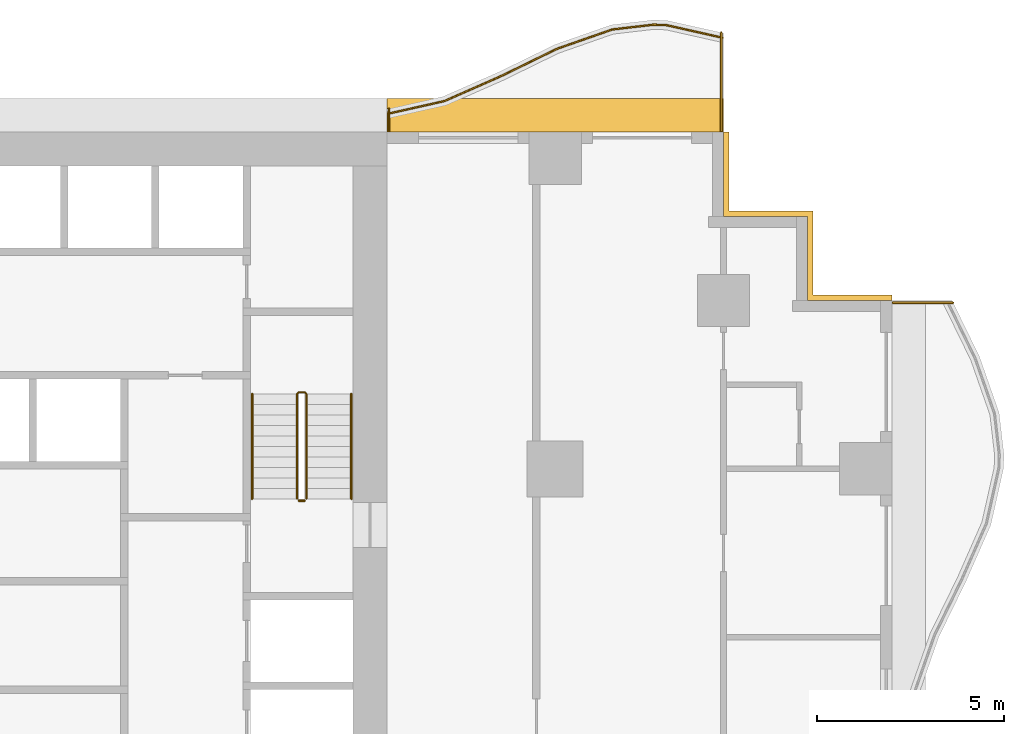
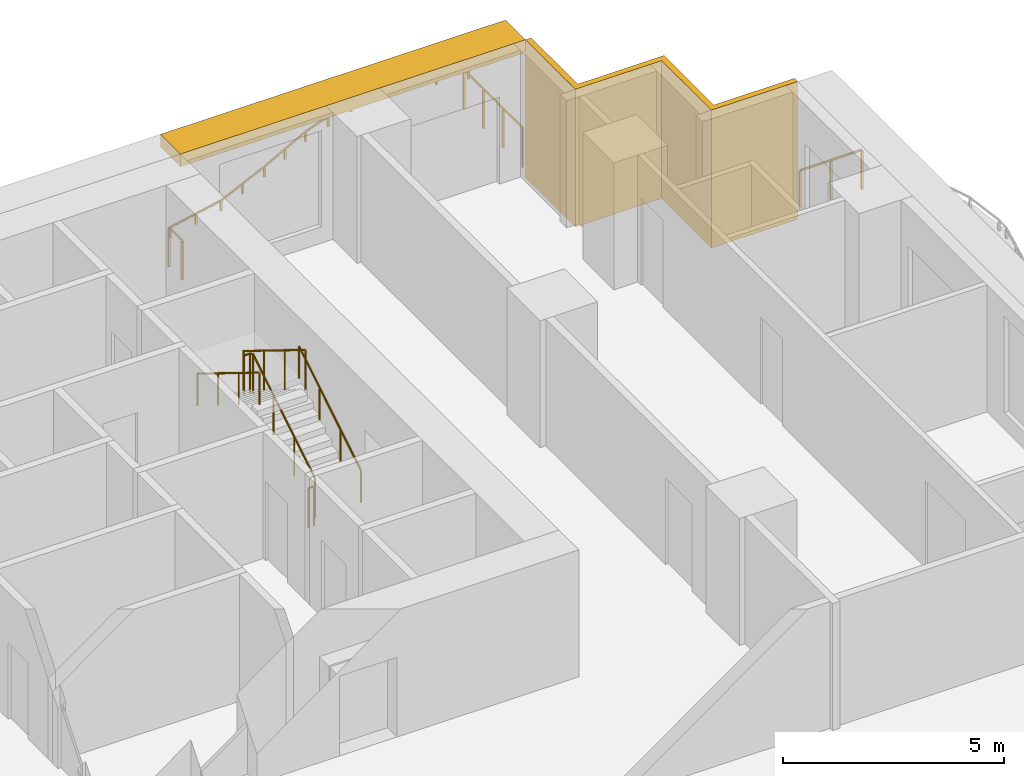
# One storey, part 14 of 14: 8 railings, 2 shading devices.
"""IFC4 building model written with IfcOpenShell, lengths in metres."""

from ifc_helpers import new_model, si_unit, direction, frame, origin, origin_2d, place, context, subcontext, project, spatial, polyline, rectangle, circle, outline, extrude, material, layer, layer_set, type_object, element, save


model = new_model("IFC4")

# Units and contexts
model_context = context("Model", 3, precision=1e-05, world=origin(), true_north=direction((0.0, 1.0)))
body_context = subcontext(model_context, "Body", "Model", "MODEL_VIEW")
ifc_project = project(units=[si_unit("LENGTHUNIT", "METRE"), si_unit("AREAUNIT", "SQUARE_METRE"), si_unit("VOLUMEUNIT", "CUBIC_METRE"), si_unit("PLANEANGLEUNIT", "RADIAN"), si_unit("MASSUNIT", "GRAM", prefix="KILO")], contexts=[model_context])

# Site, building, storey
site_placement = place(None, origin())
site = spatial("IfcSite", under=ifc_project, at=site_placement, CompositionType="ELEMENT")
building_placement = place(site_placement, origin())
building = spatial("IfcBuilding", under=site, at=building_placement, Name="Orbiselva Terraces", CompositionType="ELEMENT")
storey_placement = place(building_placement, frame((0.0, 0.0, 49.2)))
storey = spatial("IfcBuildingStorey", under=building, at=storey_placement, Name="L12", CompositionType="ELEMENT", Elevation=49.2)

# Railings
ifc_material_1 = material(Name="Stainless steel", Category="steel")
railing_type_1 = type_object("IfcRailingType", Name="CORE-GUARD-1100", PredefinedType="GUARDRAIL", material=ifc_material_1)
railing_1_placement = place(storey_placement, frame((11.35, 12.7, 0.172727)))
element("IfcRailing", 1, at=railing_1_placement, inside=storey, type_object=railing_type_1, Name="L12 S2 stair guard 1", PredefinedType="GUARDRAIL", context=body_context, shape_type="SweptSolid", body=[
    extrude(circle(Radius=0.024, at=origin_2d()), frame((0.0, 0.0, 1.081), z_axis=(0.0, 0.851088519012, 0.52502222125), x_axis=(-1.0, 0.0, 0.0)), (0.0, 0.0, 1.0), 3.289905),
    extrude(circle(Radius=0.024, at=origin_2d()), frame((0.0, 2.8, 2.808273), z_axis=(-0.707106781187, 0.707106781187, 0.0), x_axis=(-0.707106781187, -0.707106781187, 0.0)), (0.0, 0.0, 1.0), 0.070711),
    extrude(circle(Radius=0.024, at=origin_2d()), frame((-0.05, 2.85, 2.808273), z_axis=(-1.0, 0.0, 0.0), x_axis=(0.0, -1.0, 0.0)), (0.0, 0.0, 1.0), 0.15),
    extrude(circle(Radius=0.024, at=origin_2d()), frame((-0.2, 2.85, 2.808273), z_axis=(-0.267894925557, -0.267894925557, 0.925453736133), x_axis=(0.707106781187, -0.707106781187, 0.0)), (0.0, 0.0, 1.0), 0.18664),
    extrude(circle(Radius=0.024, at=origin_2d()), frame((-0.25, 2.8, 2.981), z_axis=(0.0, -0.851088519012, 0.52502222125), x_axis=(1.0, 0.0, 0.0)), (0.0, 0.0, 1.0), 3.289905),
    extrude(circle(Radius=0.021, at=origin_2d()), origin(), (0.0, 0.0, 1.0), 1.057),
    extrude(circle(Radius=0.021, at=origin_2d()), frame((0.0, 0.933333, 0.575758)), (0.0, 0.0, 1.0), 1.057),
    extrude(circle(Radius=0.021, at=origin_2d()), frame((0.0, 1.866667, 1.151515)), (0.0, 0.0, 1.0), 1.057),
    extrude(circle(Radius=0.021, at=origin_2d()), frame((0.0, 2.8, 1.727273)), (0.0, 0.0, 1.0), 1.057),
    extrude(circle(Radius=0.021, at=origin_2d()), frame((-0.05, 2.85, 1.727273)), (0.0, 0.0, 1.0), 1.057),
    extrude(circle(Radius=0.021, at=origin_2d()), frame((-0.2, 2.85, 1.727273)), (0.0, 0.0, 1.0), 1.057),
    extrude(circle(Radius=0.021, at=origin_2d()), frame((-0.25, 2.8, 1.9)), (0.0, 0.0, 1.0), 1.057),
    extrude(circle(Radius=0.021, at=origin_2d()), frame((-0.25, 1.866667, 2.475758)), (0.0, 0.0, 1.0), 1.057),
    extrude(circle(Radius=0.021, at=origin_2d()), frame((-0.25, 0.933333, 3.051515)), (0.0, 0.0, 1.0), 1.057),
    extrude(circle(Radius=0.021, at=origin_2d()), frame((-0.25, 0.0, 3.627273)), (0.0, 0.0, 1.0), 1.057),
])
railing_2_placement = place(storey_placement, frame((11.3, 12.65, 0.0)))
element("IfcRailing", 2, at=railing_2_placement, inside=storey, type_object=railing_type_1, Name="L12 S2 stair guard 2", PredefinedType="GUARDRAIL", context=body_context, shape_type="SweptSolid", body=[
    extrude(circle(Radius=0.024, at=origin_2d()), frame((0.0, 0.0, 1.081), z_axis=(-1.0, 0.0, 0.0), x_axis=(0.0, -1.0, 0.0)), (0.0, 0.0, 1.0), 0.15),
    extrude(circle(Radius=0.021, at=origin_2d()), origin(), (0.0, 0.0, 1.0), 1.057),
    extrude(circle(Radius=0.021, at=origin_2d()), frame((-0.15, 0.0, 0.0)), (0.0, 0.0, 1.0), 1.057),
])
railing_type_2 = type_object("IfcRailingType", Name="CORE-HANDRAIL-900", PredefinedType="HANDRAIL", material=ifc_material_1)
railing_3_placement = place(storey_placement, frame((12.55, 12.7, 0.172727)))
element("IfcRailing", 3, at=railing_3_placement, inside=storey, type_object=railing_type_2, Name="L12 S2 stair handrail 1", PredefinedType="HANDRAIL", context=body_context, shape_type="SweptSolid", body=[
    extrude(circle(Radius=0.024, at=origin_2d()), frame((0.0, 0.0, 0.876), z_axis=(0.0, 0.851088519012, 0.52502222125), x_axis=(-1.0, 0.0, 0.0)), (0.0, 0.0, 1.0), 3.289905),
    extrude(circle(Radius=0.021, at=origin_2d()), origin(), (0.0, 0.0, 1.0), 0.852),
    extrude(circle(Radius=0.021, at=origin_2d()), frame((0.0, 0.933333, 0.575758)), (0.0, 0.0, 1.0), 0.852),
    extrude(circle(Radius=0.021, at=origin_2d()), frame((0.0, 1.866667, 1.151515)), (0.0, 0.0, 1.0), 0.852),
    extrude(circle(Radius=0.021, at=origin_2d()), frame((0.0, 2.8, 1.727273)), (0.0, 0.0, 1.0), 0.852),
])
railing_4_placement = place(storey_placement, frame((9.9, 15.5, 2.072727)))
element("IfcRailing", 4, at=railing_4_placement, inside=storey, type_object=railing_type_2, Name="L12 S2 stair handrail 2", PredefinedType="HANDRAIL", context=body_context, shape_type="SweptSolid", body=[
    extrude(circle(Radius=0.024, at=origin_2d()), frame((0.0, 0.0, 0.876), z_axis=(0.0, -0.851088519012, 0.52502222125), x_axis=(1.0, 0.0, 0.0)), (0.0, 0.0, 1.0), 3.289905),
    extrude(circle(Radius=0.021, at=origin_2d()), origin(), (0.0, 0.0, 1.0), 0.852),
    extrude(circle(Radius=0.021, at=origin_2d()), frame((0.0, -0.933333, 0.575758)), (0.0, 0.0, 1.0), 0.852),
    extrude(circle(Radius=0.021, at=origin_2d()), frame((0.0, -1.866667, 1.151515)), (0.0, 0.0, 1.0), 0.852),
    extrude(circle(Radius=0.021, at=origin_2d()), frame((0.0, -2.8, 1.727273)), (0.0, 0.0, 1.0), 0.852),
])
ifc_material_2 = material(Name="Bonded two-ply safety glass balustrade, stainless steel posts", Category="steel")
railing_type_3 = type_object("IfcRailingType", Name="ENV-BALUSTRADE-1200", PredefinedType="BALUSTRADE", material=ifc_material_2)
railing_5_placement = place(storey_placement, frame((22.472623, 25.026563, 0.9)))
element("IfcRailing", 5, at=railing_5_placement, inside=storey, type_object=railing_type_3, Name="Balcony balustrade L12 NE", PredefinedType="BALUSTRADE", context=body_context, shape_type="SweptSolid", body=[
    extrude(outline(polyline([(0.028868, 0.0), (0.014434, 0.025), (-0.014434, 0.025), (-0.028868, 0.0), (-0.014434, -0.025), (0.014434, -0.025), (0.028868, 0.0)])), frame((0.0, 0.0, 0.275), z_axis=(-0.975721322437, 0.21901575501, 0.0), x_axis=(-0.21901575501, -0.975721322437, 0.0)), (0.0, 0.0, 1.0), 1.525954),
    extrude(outline(polyline([(0.028868, 0.0), (0.014434, 0.025), (-0.014434, 0.025), (-0.028868, 0.0), (-0.014434, -0.025), (0.014434, -0.025), (0.028868, 0.0)])), frame((-1.488906, 0.334208, 0.275), z_axis=(-0.999224931454, 0.039364150694, 0.0), x_axis=(-0.039364150694, -0.999224931454, 0.0)), (0.0, 0.0, 1.0), 0.354206),
    extrude(outline(polyline([(0.028868, 0.0), (0.014434, 0.025), (-0.014434, 0.025), (-0.028868, 0.0), (-0.014434, -0.025), (0.014434, -0.025), (0.028868, 0.0)])), frame((-1.842837, 0.348151, 0.275), z_axis=(-0.993309658409, -0.115481264762, 0.0), x_axis=(0.115481264762, -0.993309658409, 0.0)), (0.0, 0.0, 1.0), 1.10902),
    extrude(outline(polyline([(0.028868, 0.0), (0.014434, 0.025), (-0.014434, 0.025), (-0.028868, 0.0), (-0.014434, -0.025), (0.014434, -0.025), (0.028868, 0.0)])), frame((-2.944437, 0.22008, 0.275), z_axis=(-0.943972277814, -0.330024754707, 0.0), x_axis=(0.330024754707, -0.943972277814, 0.0)), (0.0, 0.0, 1.0), 1.567807),
    extrude(outline(polyline([(0.028868, 0.0), (0.014434, 0.025), (-0.014434, 0.025), (-0.028868, 0.0), (-0.014434, -0.025), (0.014434, -0.025), (0.028868, 0.0)])), frame((-4.424403, -0.297335, 0.275), z_axis=(-0.89857890432, -0.438811978768, 0.0), x_axis=(0.438811978768, -0.89857890432, 0.0)), (0.0, 0.0, 1.0), 1.66438),
    extrude(outline(polyline([(0.028868, 0.0), (0.014434, 0.025), (-0.014434, 0.025), (-0.028868, 0.0), (-0.014434, -0.025), (0.014434, -0.025), (0.028868, 0.0)])), frame((-5.91998, -1.027685, 0.275), z_axis=(-0.915133527237, -0.403150874148, 0.0), x_axis=(0.403150874148, -0.915133527237, 0.0)), (0.0, 0.0, 1.0), 1.653736),
    extrude(outline(polyline([(0.028868, 0.0), (0.014434, 0.025), (-0.014434, 0.025), (-0.028868, 0.0), (-0.014434, -0.025), (0.014434, -0.025), (0.028868, 0.0)])), frame((-7.433369, -1.69439, 0.275), z_axis=(-0.975721349543, -0.219015634252, 0.0), x_axis=(0.219015634252, -0.975721349543, 0.0)), (0.0, 0.0, 1.0), 1.549497),
    extrude(rectangle(XDim=0.05, YDim=0.05, at=origin_2d()), origin(), (0.0, 0.0, 1.0), 0.25),
    extrude(rectangle(XDim=0.05, YDim=0.05, at=origin_2d()), frame((-0.744453, 0.167104, 0.0)), (0.0, 0.0, 1.0), 0.25),
    extrude(rectangle(XDim=0.05, YDim=0.05, at=origin_2d()), frame((-1.488906, 0.334208, 0.0)), (0.0, 0.0, 1.0), 0.25),
    extrude(rectangle(XDim=0.05, YDim=0.05, at=origin_2d()), frame((-1.842837, 0.348151, 0.0)), (0.0, 0.0, 1.0), 0.25),
    extrude(rectangle(XDim=0.05, YDim=0.05, at=origin_2d()), frame((-2.944437, 0.22008, 0.0)), (0.0, 0.0, 1.0), 0.25),
    extrude(rectangle(XDim=0.05, YDim=0.05, at=origin_2d()), frame((-3.68442, -0.038628, 0.0)), (0.0, 0.0, 1.0), 0.25),
    extrude(rectangle(XDim=0.05, YDim=0.05, at=origin_2d()), frame((-4.424403, -0.297335, 0.0)), (0.0, 0.0, 1.0), 0.25),
    extrude(rectangle(XDim=0.05, YDim=0.05, at=origin_2d()), frame((-5.172191, -0.66251, 0.0)), (0.0, 0.0, 1.0), 0.25),
    extrude(rectangle(XDim=0.05, YDim=0.05, at=origin_2d()), frame((-5.91998, -1.027685, 0.0)), (0.0, 0.0, 1.0), 0.25),
    extrude(rectangle(XDim=0.05, YDim=0.05, at=origin_2d()), frame((-6.676674, -1.361037, 0.0)), (0.0, 0.0, 1.0), 0.25),
    extrude(rectangle(XDim=0.05, YDim=0.05, at=origin_2d()), frame((-7.433369, -1.69439, 0.0)), (0.0, 0.0, 1.0), 0.25),
    extrude(rectangle(XDim=0.05, YDim=0.05, at=origin_2d()), frame((-8.189307, -1.864072, 0.0)), (0.0, 0.0, 1.0), 0.25),
    extrude(rectangle(XDim=0.05, YDim=0.05, at=origin_2d()), frame((-8.945246, -2.033754, 0.0)), (0.0, 0.0, 1.0), 0.25),
])
ifc_material_3 = material(Name="Stainless steel rail and posts", Category="steel")
railing_type_4 = type_object("IfcRailingType", Name="ENV-GUARD-1105", PredefinedType="BALUSTRADE", material=ifc_material_3)
railing_6_placement = place(storey_placement, frame((28.642123, 17.94, 0.0)))
element("IfcRailing", 6, at=railing_6_placement, inside=storey, type_object=railing_type_4, Name="Balcony end guard L12 E", PredefinedType="BALUSTRADE", context=body_context, shape_type="SweptSolid", body=[
    extrude(outline(polyline([(0.028868, 0.0), (0.014434, 0.025), (-0.014434, 0.025), (-0.028868, 0.0), (-0.014434, -0.025), (0.014434, -0.025), (0.028868, 0.0)])), frame((0.0, 0.0, 1.08), z_axis=(-1.0, 0.0, 0.0), x_axis=(0.0, -1.0, 0.0)), (0.0, 0.0, 1.0), 1.617123),
    extrude(rectangle(XDim=0.05, YDim=0.05, at=origin_2d()), origin(), (0.0, 0.0, 1.0), 1.055),
    extrude(rectangle(XDim=0.05, YDim=0.05, at=origin_2d()), frame((-0.808562, 0.0, 0.0)), (0.0, 0.0, 1.0), 1.055),
    extrude(rectangle(XDim=0.05, YDim=0.05, at=origin_2d()), frame((-1.617123, 0.0, 0.0)), (0.0, 0.0, 1.0), 1.055),
])
railing_7_placement = place(storey_placement, frame((22.44, 25.169584, 0.0)))
element("IfcRailing", 7, at=railing_7_placement, inside=storey, type_object=railing_type_4, Name="Balcony end guard L12 NE", PredefinedType="BALUSTRADE", context=body_context, shape_type="SweptSolid", body=[
    extrude(outline(polyline([(0.028868, 0.0), (0.014434, 0.025), (-0.014434, 0.025), (-0.028868, 0.0), (-0.014434, -0.025), (0.014434, -0.025), (0.028868, 0.0)])), frame((0.0, 0.0, 1.08), z_axis=(0.0, -1.0, 0.0), x_axis=(1.0, 0.0, 0.0)), (0.0, 0.0, 1.0), 2.644584),
    extrude(rectangle(XDim=0.05, YDim=0.05, at=origin_2d()), origin(), (0.0, 0.0, 1.0), 1.055),
    extrude(rectangle(XDim=0.05, YDim=0.05, at=origin_2d()), frame((0.0, -0.881528, 0.0)), (0.0, 0.0, 1.0), 1.055),
    extrude(rectangle(XDim=0.05, YDim=0.05, at=origin_2d()), frame((0.0, -1.763056, 0.0)), (0.0, 0.0, 1.0), 1.055),
    extrude(rectangle(XDim=0.05, YDim=0.05, at=origin_2d()), frame((0.0, -2.644584, 0.0)), (0.0, 0.0, 1.0), 1.055),
])
railing_8_placement = place(storey_placement, frame((13.56, 23.119866, 0.0)))
element("IfcRailing", 8, at=railing_8_placement, inside=storey, type_object=railing_type_4, Name="Balcony end guard L12 NE", PredefinedType="BALUSTRADE", context=body_context, shape_type="SweptSolid", body=[
    extrude(outline(polyline([(0.028868, 0.0), (0.014434, 0.025), (-0.014434, 0.025), (-0.028868, 0.0), (-0.014434, -0.025), (0.014434, -0.025), (0.028868, 0.0)])), frame((0.0, 0.0, 1.08), z_axis=(0.0, -1.0, 0.0), x_axis=(1.0, 0.0, 0.0)), (0.0, 0.0, 1.0), 0.594866),
    extrude(rectangle(XDim=0.05, YDim=0.05, at=origin_2d()), origin(), (0.0, 0.0, 1.0), 1.055),
    extrude(rectangle(XDim=0.05, YDim=0.05, at=origin_2d()), frame((0.0, -0.594866, 0.0)), (0.0, 0.0, 1.0), 1.055),
])

# Shading devices
ifc_material_4 = material(Name="Terracotta louvre screen", Category="masonry")
ifc_layer_1 = layer(ifc_material_4, 0.15)
ifc_layer_set_1 = layer_set([ifc_layer_1], Name="Terracotta louvre screen")
shading_device_type_1 = type_object("IfcShadingDeviceType", Name="ENV-SCREEN-150", PredefinedType="USERDEFINED", material=ifc_layer_set_1)
shading_device_1_placement = place(storey_placement, frame((0.0, 0.0, -0.3)))
element("IfcShadingDevice", 9, at=shading_device_1_placement, inside=storey, type_object=shading_device_type_1, Name="Louvre screen L12 NE", ObjectType="SCREEN", PredefinedType="USERDEFINED", context=body_context, shape_type="SweptSolid", body=[
    extrude(outline(polyline([(27.0, 18.15), (24.9, 18.15), (24.9, 20.4), (22.65, 20.4), (22.65, 22.5), (22.5, 22.5), (22.5, 20.25), (24.75, 20.25), (24.75, 18.0), (27.0, 18.0), (27.0, 18.15)])), origin(), (0.0, 0.0, 1.0), 3.8),
])
ifc_material_5 = material(Name="Terracotta baguette sunshade", Category="masonry")
ifc_layer_2 = layer(ifc_material_5, 0.35)
ifc_layer_set_2 = layer_set([ifc_layer_2], Name="Terracotta baguette sunshade")
shading_device_type_2 = type_object("IfcShadingDeviceType", Name="ENV-SUNSHADE-900x350", PredefinedType="USERDEFINED", material=ifc_layer_set_2)
shading_device_2_placement = place(storey_placement, frame((0.0, 0.0, 3.15)))
element("IfcShadingDevice", 10, at=shading_device_2_placement, inside=storey, type_object=shading_device_type_2, Name="Sunshade band L12 NE", ObjectType="SUNSHADE", PredefinedType="USERDEFINED", context=body_context, shape_type="SweptSolid", body=[
    extrude(outline(polyline([(22.5, 23.4), (13.5, 23.4), (13.5, 22.5), (22.5, 22.5), (22.5, 23.4)])), origin(), (0.0, 0.0, 1.0), 0.35),
])

save(model, "model.ifc")
